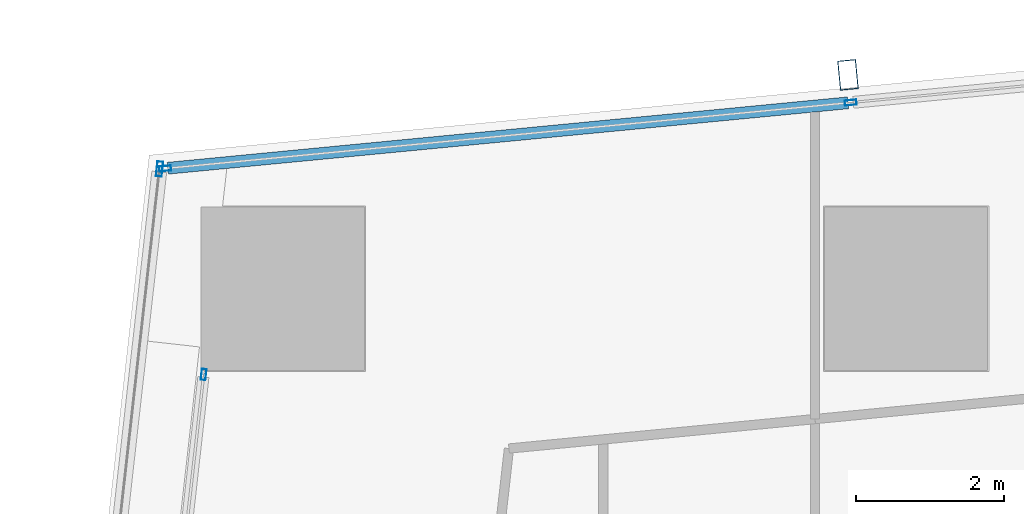
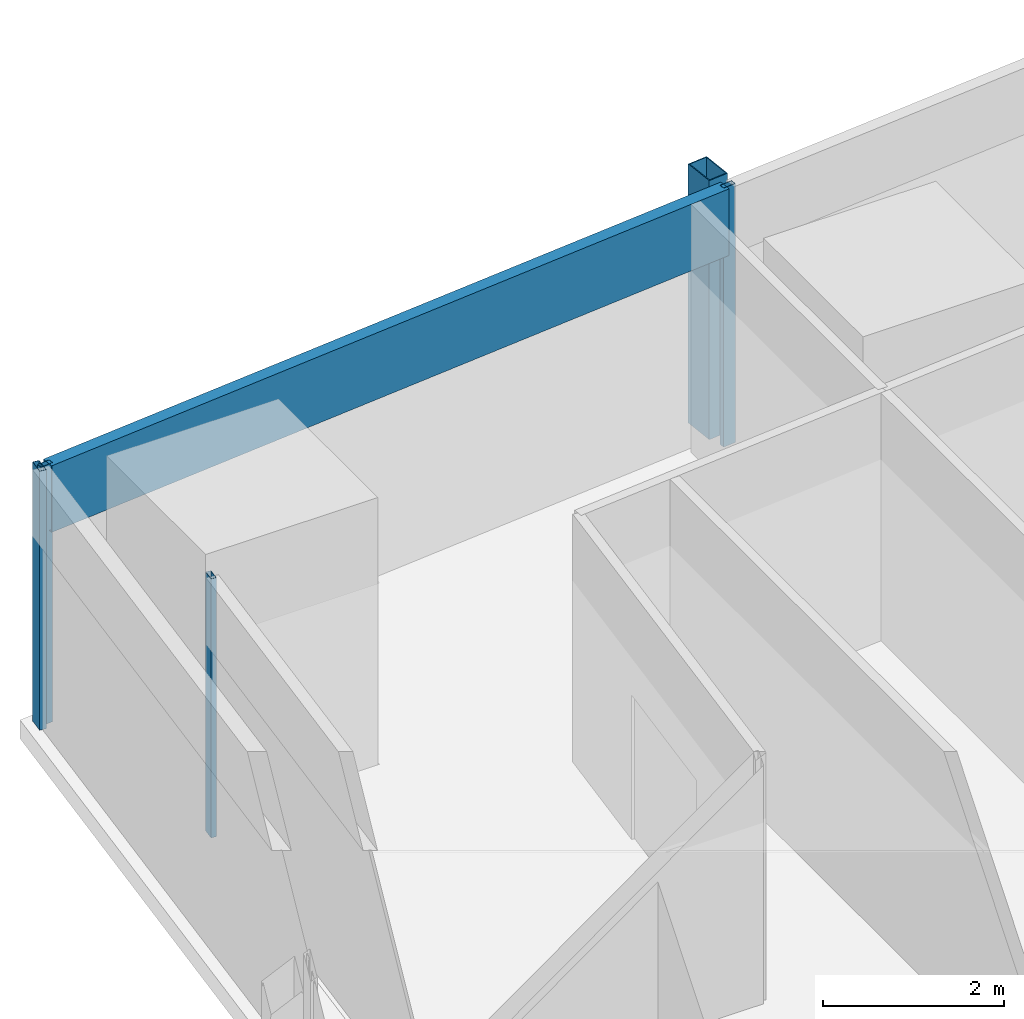
# One storey, part 16 of 45: 6 members, 3 elements without a shape of their own.
"""IFC4 building model written with IfcOpenShell, lengths in metres."""

from ifc_helpers import new_model, si_unit, direction, frame, origin, origin_2d, place, context, subcontext, project, spatial, hollow_rectangle, extrude, material, material_profile, profile_set, type_object, element, aggregate, save


model = new_model("IFC4")

# Units and contexts
model_context = context("Model", 3, precision=1e-05, world=origin(), true_north=direction((0.0, 1.0)))
body_context = subcontext(model_context, "Body", "Model", "MODEL_VIEW")
ifc_project = project(units=[si_unit("LENGTHUNIT", "METRE"), si_unit("AREAUNIT", "SQUARE_METRE"), si_unit("VOLUMEUNIT", "CUBIC_METRE"), si_unit("PLANEANGLEUNIT", "RADIAN"), si_unit("MASSUNIT", "GRAM", prefix="KILO")], contexts=[model_context])

# Site, building, storey
site_placement = place(None, origin())
site = spatial("IfcSite", under=ifc_project, at=site_placement, CompositionType="ELEMENT")
building_placement = place(site_placement, origin())
building = spatial("IfcBuilding", under=site, at=building_placement, Name="Rekha Terrace Tower", CompositionType="ELEMENT")
storey_placement = place(building_placement, frame((0.0, 0.0, 44.14990234375)))
storey = spatial("IfcBuildingStorey", under=building, at=storey_placement, Name="L10", CompositionType="ELEMENT", Elevation=44.14990234375)

# Curtain wall, member
ifc_material_1 = material(Name="Aluminium framing", Category="aluminium")
curtain_wall_type_1 = type_object("IfcCurtainWallType", Name="CW3 north unitised glazing", PredefinedType="USERDEFINED", material=ifc_material_1)
curtain_wall_1_placement = place(storey_placement, origin())
curtain_wall_1 = element("IfcCurtainWall", 1, at=curtain_wall_1_placement, inside=storey, type_object=curtain_wall_type_1, Name="CW3 unitised curtain wall", ObjectType="UNITISED CURTAIN WALL", PredefinedType="USERDEFINED")
ifc_material_2 = material(Name="Steel S355 with fluorocarbon finish", Category="steel")
ifc_material_profile_1 = material_profile(ifc_material_2, hollow_rectangle(XDim=0.25, YDim=0.39990234375, WallThickness=0.012451171875, at=origin_2d()), Name="RHS400x250x12.5")
ifc_profile_set_1 = profile_set([ifc_material_profile_1], Name="Steel S355 with fluorocarbon finish")
member_type_1 = type_object("IfcMemberType", Name="BL1 facade blade RHS 400 x 250", PredefinedType="USERDEFINED", material=ifc_profile_set_1)
member_1_placement = place(storey_placement, frame((16.01708984375, 61.681396484375, 0.0), z_axis=(0.0, 0.0, 1.0), x_axis=(-0.995409070123, -0.095711980009, 0.0)))
member_1 = element("IfcMember", 2, at=member_1_placement, type_object=member_type_1, Name="Facade blade", ObjectType="FACADE BLADE", PredefinedType="USERDEFINED", context=body_context, shape_type="SweptSolid", body=[
    extrude(hollow_rectangle(XDim=0.25, YDim=0.39990234375, WallThickness=0.012451171875, at=origin_2d()), origin(), (0.0, 0.0, 1.0), 3.5),
])

curtain_wall_type_2 = type_object("IfcCurtainWallType", Name="CW1 double skin inner glazing", PredefinedType="USERDEFINED", material=ifc_material_1)
curtain_wall_2_placement = place(storey_placement, origin())
curtain_wall_2 = element("IfcCurtainWall", 3, at=curtain_wall_2_placement, inside=storey, type_object=curtain_wall_type_2, Name="CW1 double skin inner glazing", ObjectType="DOUBLE SKIN INNER GLAZING", PredefinedType="USERDEFINED")
ifc_material_3 = material(Name="Aluminium mullion section", Category="aluminium")
ifc_material_profile_2 = material_profile(ifc_material_3, hollow_rectangle(XDim=0.06494140625, YDim=0.14990234375, WallThickness=0.00390625, at=origin_2d()), Name="AL RHS 65x150")
ifc_profile_set_2 = profile_set([ifc_material_profile_2], Name="Aluminium mullion section")
member_type_2 = type_object("IfcMemberType", Name="CW1 mullion RHS 65 x 150", PredefinedType="MULLION", material=ifc_profile_set_2)
member_2_placement = place(storey_placement, frame((7.334228515625, 57.643310546875, 0.0), z_axis=(0.0, 0.0, 1.0), x_axis=(0.993738615524, -0.111729870748, 0.0)))
member_2 = element("IfcMember", 4, at=member_2_placement, type_object=member_type_2, Name="CW1 mullion 1", PredefinedType="MULLION", context=body_context, shape_type="SweptSolid", body=[
    extrude(hollow_rectangle(XDim=0.06494140625, YDim=0.14990234375, WallThickness=0.00390625, at=origin_2d()), origin(), (0.0, 0.0, 1.0), 3.5),
])
aggregate(curtain_wall_2, [member_2])

curtain_wall_type_3 = type_object("IfcCurtainWallType", Name="CW2 double skin outer glazing", PredefinedType="USERDEFINED", material=ifc_material_1)
curtain_wall_3_placement = place(storey_placement, origin())
curtain_wall_3 = element("IfcCurtainWall", 5, at=curtain_wall_3_placement, inside=storey, type_object=curtain_wall_type_3, Name="CW2 double skin outer glazing", ObjectType="DOUBLE SKIN OUTER GLAZING", PredefinedType="USERDEFINED")
ifc_material_profile_3 = material_profile(ifc_material_3, hollow_rectangle(XDim=0.080078125, YDim=0.199951171875, WallThickness=0.00390625, at=origin_2d()), Name="AL RHS 80x200")
ifc_profile_set_3 = profile_set([ifc_material_profile_3], Name="Aluminium mullion section")
member_type_3 = type_object("IfcMemberType", Name="CW2 mullion RHS 80 x 200", PredefinedType="MULLION", material=ifc_profile_set_3)
member_3_placement = place(storey_placement, frame((6.739990234375, 60.413330078125, 0.0), z_axis=(0.0, 0.0, 1.0), x_axis=(0.99373861552, -0.111729870782, 0.0)))
member_3 = element("IfcMember", 6, at=member_3_placement, type_object=member_type_3, Name="CW2 mullion 1", PredefinedType="MULLION", context=body_context, shape_type="SweptSolid", body=[
    extrude(hollow_rectangle(XDim=0.080078125, YDim=0.199951171875, WallThickness=0.00390625, at=origin_2d()), origin(), (0.0, 0.0, 1.0), 3.5),
])
aggregate(curtain_wall_3, [member_3])

# Member
ifc_material_profile_4 = material_profile(ifc_material_3, hollow_rectangle(XDim=0.070068359375, YDim=0.159912109375, WallThickness=0.00390625, at=origin_2d()), Name="AL RHS 70x160")
ifc_profile_set_4 = profile_set([ifc_material_profile_4], Name="Aluminium mullion section")
member_type_4 = type_object("IfcMemberType", Name="CW3 mullion RHS 70 x 160", PredefinedType="MULLION", material=ifc_profile_set_4)
member_4_placement = place(storey_placement, frame((16.052978515625, 61.30810546875, 0.0), z_axis=(0.0, 0.0, 1.0), x_axis=(0.095712406625, -0.995409029102, 0.0)))
member_4 = element("IfcMember", 7, at=member_4_placement, type_object=member_type_4, Name="CW3 mullion 2", PredefinedType="MULLION", context=body_context, shape_type="SweptSolid", body=[
    extrude(hollow_rectangle(XDim=0.070068359375, YDim=0.159912109375, WallThickness=0.00390625, at=origin_2d()), origin(), (0.0, 0.0, 1.0), 3.5),
])

member_5_placement = place(storey_placement, frame((6.8154296875, 60.419677734375, 0.0), z_axis=(0.0, 0.0, 1.0), x_axis=(0.095712406625, -0.995409029102, 0.0)))
member_5 = element("IfcMember", 8, at=member_5_placement, type_object=member_type_4, Name="CW3 mullion 3", PredefinedType="MULLION", context=body_context, shape_type="SweptSolid", body=[
    extrude(hollow_rectangle(XDim=0.070068359375, YDim=0.159912109375, WallThickness=0.00390625, at=origin_2d()), origin(), (0.0, 0.0, 1.0), 3.5),
])

ifc_material_4 = material(Name="Insulated aluminium spandrel box", Category="aluminium")
ifc_material_profile_5 = material_profile(ifc_material_4, hollow_rectangle(XDim=0.159912109375, YDim=0.89990234375, WallThickness=0.0029296875, at=origin_2d()), Name="AL SPANDREL BOX 160x900")
ifc_profile_set_5 = profile_set([ifc_material_profile_5], Name="Insulated aluminium spandrel box")
member_type_5 = type_object("IfcMemberType", Name="CW3 spandrel transom 160 x 900", PredefinedType="USERDEFINED", material=ifc_profile_set_5)
member_6_placement = place(storey_placement, frame((16.018310546875, 61.3046875, 3.050048828125), z_axis=(-0.995408446287, -0.095718467713, 0.0), x_axis=(0.095718467713, -0.995408446287, 0.0)))
member_6 = element("IfcMember", 9, at=member_6_placement, type_object=member_type_5, Name="CW3 spandrel transom 2", ObjectType="TRANSOM", PredefinedType="USERDEFINED", context=body_context, shape_type="SweptSolid", body=[
    extrude(hollow_rectangle(XDim=0.159912109375, YDim=0.89990234375, WallThickness=0.0029296875, at=origin_2d()), origin(), (0.0, 0.0, 1.0), 9.210205078125),
])

aggregate(curtain_wall_1, [member_4, member_5, member_6, member_1])

save(model, "model.ifc")
